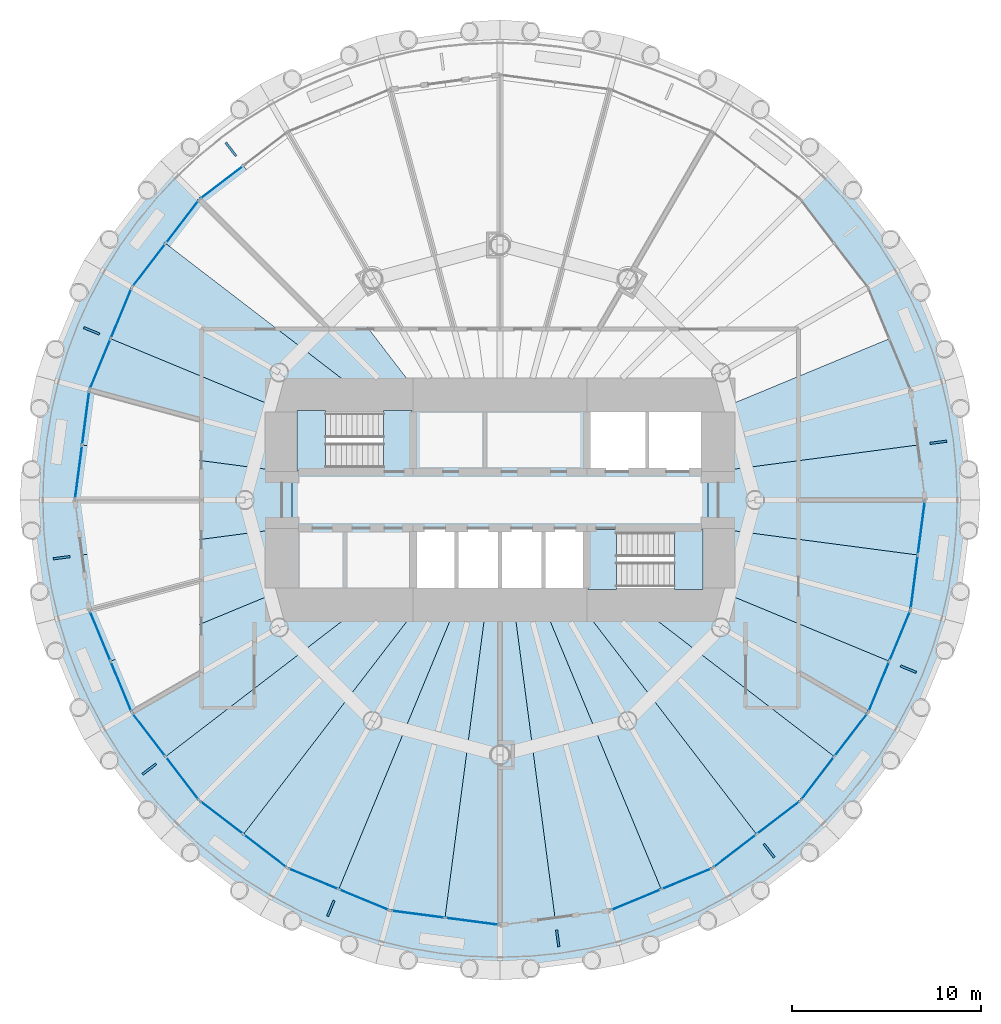
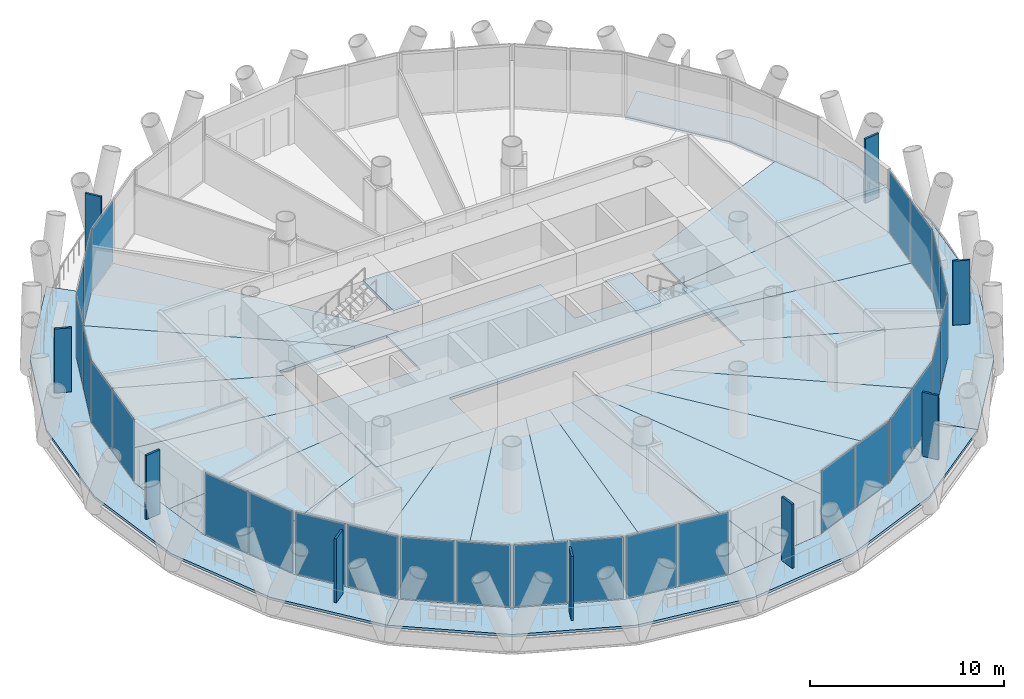
# One storey, part 7 of 15: 36 plates, 25 slabs, 16 elements without a shape of their own.
"""IFC4 building model written with IfcOpenShell, lengths in metres."""

import ifcopenshell
import ifcopenshell.guid

model = None  # the IFC model being written
_history = None  # IfcOwnerHistory: only IFC2X3 demands one
_inside = {}  # id of a spatial element -> (the spatial element, [elements in it])
_under = {}  # id of a project, library or spatial element -> (it, [spatial elements below it])
_declared = {}  # id of a project -> (the project, [libraries it declares])
_typed = {}  # id of a type object -> (the type object, [elements of that type])
_made_of = {}  # id of a material, layer set ... -> (it, [elements and type objects made of it])


def new_model(schema):
    """Start an empty IFC model of exactly this schema.

    Asked for "IFC4X3", IfcOpenShell would pick the latest addendum, in which some entities
    have other attributes; the version numbers below select the first issue.
    IFC2X3 requires an IfcOwnerHistory on every rooted entity: one is made here for all.
    """
    global model, _history
    if schema == "IFC4X3":
        model = ifcopenshell.file(schema_version=(4, 3, 0, 0))
    else:
        model = ifcopenshell.file(schema=schema)
    _inside.clear()
    _under.clear()
    _declared.clear()
    _typed.clear()
    _made_of.clear()
    _history = None
    if model.schema == "IFC2X3":
        org = make("IfcOrganization", Name="unknown")
        user = make(
            "IfcPersonAndOrganization",
            ThePerson=make("IfcPerson", FamilyName="unknown"),
            TheOrganization=org,
        )
        app = make(
            "IfcApplication",
            ApplicationDeveloper=org,
            Version="unknown",
            ApplicationFullName="unknown",
            ApplicationIdentifier="unknown",
        )
        _history = make(
            "IfcOwnerHistory",
            OwningUser=user,
            OwningApplication=app,
            ChangeAction="ADDED",
            CreationDate=0,
        )
    return model


def make(cls, **values):
    """One entity of the class cls with the attributes given. An attribute that is None is left unset."""
    return model.create_entity(
        cls, **{name: value for name, value in values.items() if value is not None}
    )


def rooted(cls, **values):
    """An entity with a GlobalId (a new one), such as an element, a storey or a relation."""
    return make(cls, GlobalId=ifcopenshell.guid.new(), OwnerHistory=_history, **values)


def si_unit(unit_type, name, prefix=None):
    """IfcSIUnit, for example si_unit("LENGTHUNIT", "METRE", prefix="MILLI")."""
    return make("IfcSIUnit", UnitType=unit_type, Prefix=prefix, Name=name)


def assignment(units):
    """IfcUnitAssignment: the units of a project."""
    return None if units is None else make("IfcUnitAssignment", Units=units)


def point(xyz):
    """IfcCartesianPoint."""
    return None if xyz is None else make("IfcCartesianPoint", Coordinates=xyz)


def direction(xyz):
    """IfcDirection."""
    return None if xyz is None else make("IfcDirection", DirectionRatios=xyz)


def frame(location, z_axis=None, x_axis=None):
    """IfcAxis2Placement3D, a coordinate frame: its origin and axes. An axis left out is left unset."""
    return make(
        "IfcAxis2Placement3D",
        Location=point(location),
        Axis=direction(z_axis),
        RefDirection=direction(x_axis),
    )


def frame_2d(location, x_axis=None):
    """IfcAxis2Placement2D, a coordinate frame in the plane: its origin and x axis."""
    return make(
        "IfcAxis2Placement2D", Location=point(location), RefDirection=direction(x_axis)
    )


def origin():
    """The frame at (0, 0, 0) with its axes left unset."""
    return frame((0.0, 0.0, 0.0))


def origin_2d():
    """The frame at (0, 0) in the plane with its x axis left unset."""
    return frame_2d((0.0, 0.0))


def place(relative_to, where):
    """IfcLocalPlacement: puts the frame where relative to a parent placement (None: the world)."""
    return make(
        "IfcLocalPlacement", PlacementRelTo=relative_to, RelativePlacement=where
    )


def context(
    kind, dimensions, precision=None, world=None, true_north=None, identifier=None
):
    """IfcGeometricRepresentationContext, for example the 3D "Model" context."""
    return make(
        "IfcGeometricRepresentationContext",
        ContextIdentifier=identifier,
        ContextType=kind,
        CoordinateSpaceDimension=dimensions,
        Precision=precision,
        WorldCoordinateSystem=world,
        TrueNorth=true_north,
    )


def subcontext(parent, identifier, kind, view, scale=None):
    """IfcGeometricRepresentationSubContext, for example "Body" below "Model"."""
    return make(
        "IfcGeometricRepresentationSubContext",
        ContextIdentifier=identifier,
        ContextType=kind,
        ParentContext=parent,
        TargetScale=scale,
        TargetView=view,
    )


def project(units=None, contexts=None):
    """IfcProject with its units and contexts."""
    return rooted(
        "IfcProject",
        Name="project",
        RepresentationContexts=contexts,
        UnitsInContext=assignment(units),
    )


def spatial(cls, under=None, at=None, **own):
    """A site, building, storey or space (cls), placed at a placement, below another one or the project."""
    s = rooted(cls, ObjectPlacement=at, **own)
    if under is not None:
        _under.setdefault(under.id(), (under, []))[1].append(s)
    return s


def polyline(points):
    """IfcPolyline through the points."""
    return make("IfcPolyline", Points=[point(p) for p in points])


def profile(cls, at=None, kind="AREA", **sizes):
    """A parametric profile (cls). Its sizes go by their IFC names, for example OverallWidth=200.0."""
    return make(cls, ProfileType=kind, Position=at, **sizes)


def rectangle(**sizes):
    """IfcRectangleProfileDef."""
    return profile("IfcRectangleProfileDef", **sizes)


def outline(outer, holes=None, kind="AREA"):
    """IfcArbitraryClosedProfileDef: a profile drawn as a closed curve; with holes, ...WithVoids."""
    if holes is None:
        return make("IfcArbitraryClosedProfileDef", ProfileType=kind, OuterCurve=outer)
    return make(
        "IfcArbitraryProfileDefWithVoids",
        ProfileType=kind,
        OuterCurve=outer,
        InnerCurves=holes,
    )


def extrude(swept, where, along, depth):
    """IfcExtrudedAreaSolid: the profile swept, set in the frame where, extruded along a direction by depth."""
    return make(
        "IfcExtrudedAreaSolid",
        SweptArea=swept,
        Position=where,
        ExtrudedDirection=direction(along),
        Depth=depth,
    )


def shape(context_of_items, identifier, shape_type, items):
    """IfcShapeRepresentation: the items that make up one representation, for example the "Body"."""
    return make(
        "IfcShapeRepresentation",
        ContextOfItems=context_of_items,
        RepresentationIdentifier=identifier,
        RepresentationType=shape_type,
        Items=items,
    )


def material(Name=None, Category=None):
    """IfcMaterial."""
    return make("IfcMaterial", Name=Name, Category=Category)


def layer(
    of_material, thickness, ventilated=None, Name=None, Category=None, Priority=None
):
    """IfcMaterialLayer: one layer of a wall or slab, of a material (None: an air gap)."""
    return make(
        "IfcMaterialLayer",
        Material=of_material,
        LayerThickness=thickness,
        IsVentilated=ventilated,
        Name=Name,
        Category=Category,
        Priority=Priority,
    )


def layer_set(layers, Name=None):
    """IfcMaterialLayerSet."""
    return make("IfcMaterialLayerSet", MaterialLayers=layers, LayerSetName=Name)


def made_of(thing, what):
    """Note that an element or type object is made of a material, layer set ...; save() writes the relation."""
    if what is not None:
        _made_of.setdefault(what.id(), (what, []))[1].append(thing)
    return thing


def type_object(cls, material=None, **own):
    """A type object (cls), such as IfcWallType, which elements share."""
    return made_of(rooted(cls, **own), material)


def element(
    cls,
    number,
    at=None,
    inside=None,
    cuts=None,
    type_object=None,
    material=None,
    context=None,
    identifier="Body",
    shape_type=None,
    held_by="IfcProductDefinitionShape",
    body=None,
    shapes=None,
    **own,
):
    """One element of the class cls, such as IfcWall. Its Tag is "e" and its number.

    at: its placement. inside: the storey or other place that contains it. cuts: it is an
    opening in that element (IfcRelVoidsElement). A single representation is given by context,
    identifier, shape_type and body (its items); several are given by shapes. held_by: the class
    of the entity that holds the representations. save() writes the other relations.
    """
    e = rooted(cls, Tag="e%d" % number, ObjectPlacement=at, **own)
    if body is not None:
        shapes = [shape(context, identifier, shape_type, body)]
    if shapes is not None:
        e.Representation = make(held_by, Representations=shapes)
    if inside is not None:
        _inside.setdefault(inside.id(), (inside, []))[1].append(e)
    if cuts is not None:
        rooted(
            "IfcRelVoidsElement", RelatingBuildingElement=cuts, RelatedOpeningElement=e
        )
    if type_object is not None:
        _typed.setdefault(type_object.id(), (type_object, []))[1].append(e)
    return made_of(e, material)


def aggregate(whole, parts):
    """IfcRelAggregates: a whole, such as a stair, and the parts it consists of."""
    return rooted("IfcRelAggregates", RelatingObject=whole, RelatedObjects=parts)


def save(model, path):
    """Write the relations noted so far, then the file.

    IfcRelAggregates (storeys below a building ...), IfcRelContainedInSpatialStructure (elements
    in a storey), IfcRelDefinesByType, IfcRelAssociatesMaterial and IfcRelDeclares: one each for
    every whole, place, type object, material and project.
    """
    for whole, parts in _under.values():
        aggregate(whole, parts)
    for where, things in _inside.values():
        rooted(
            "IfcRelContainedInSpatialStructure",
            RelatedElements=things,
            RelatingStructure=where,
        )
    for kind, things in _typed.values():
        rooted("IfcRelDefinesByType", RelatedObjects=things, RelatingType=kind)
    for what, things in _made_of.values():
        rooted("IfcRelAssociatesMaterial", RelatedObjects=things, RelatingMaterial=what)
    for by, libraries in _declared.values():
        rooted("IfcRelDeclares", RelatingContext=by, RelatedDefinitions=libraries)
    model.write(path)


model = new_model("IFC4")

# Units and contexts
model_context = context("Model", 3, precision=1e-05, world=origin(), true_north=direction((0.0, 1.0)))
body_context = subcontext(model_context, "Body", "Model", "MODEL_VIEW")
ifc_project = project(units=[si_unit("LENGTHUNIT", "METRE"), si_unit("AREAUNIT", "SQUARE_METRE"), si_unit("VOLUMEUNIT", "CUBIC_METRE"), si_unit("PLANEANGLEUNIT", "RADIAN"), si_unit("MASSUNIT", "GRAM", prefix="KILO")], contexts=[model_context])

# Site, building, storey
site_placement = place(None, origin())
site = spatial("IfcSite", under=ifc_project, at=site_placement, CompositionType="ELEMENT")
building_placement = place(site_placement, origin())
building = spatial("IfcBuilding", under=site, at=building_placement, Name="Qaws Media Tower", CompositionType="ELEMENT")
storey_placement = place(building_placement, frame((0.0, 0.0, 143.60009765625)))
storey = spatial("IfcBuildingStorey", under=building, at=storey_placement, Name="L32", CompositionType="ELEMENT", Elevation=143.60009765625)

# Slabs
ifc_material_1 = material(Name="Concrete C35/45", Category="concrete")
ifc_layer_1 = layer(ifc_material_1, 0.159912109375)
ifc_layer_set_1 = layer_set([ifc_layer_1], Name="Composite balcony slab 160")
slab_type_1 = type_object("IfcSlabType", Name="Composite balcony slab 160", PredefinedType="FLOOR", material=ifc_layer_set_1)
slab_1_placement = place(storey_placement, frame((0.0, 0.0, -0.16015625)))
element("IfcSlab", 1, at=slab_1_placement, inside=storey, type_object=slab_type_1, Name="S2 balcony slab L32 R10 to R16, movement joints on R10 and R16", PredefinedType="FLOOR", context=body_context, shape_type="SweptSolid", body=[
    extrude(outline(polyline([(38.43603515625, 37.550048828125), (35.948486328125, 43.555419921875), (35.10009765625, 50.0), (35.948486328125, 56.444580078125), (38.43603515625, 62.449951171875), (42.39306640625, 67.60693359375), (44.090087890625, 65.909912109375), (40.514404296875, 61.25), (38.2666015625, 55.823486328125), (37.5, 50.0), (38.2666015625, 44.176513671875), (40.514404296875, 38.75), (44.090087890625, 34.090087890625), (42.39306640625, 32.39306640625), (38.43603515625, 37.550048828125)])), origin(), (0.0, 0.0, 1.0), 0.16015625),
])
slab_2_placement = place(storey_placement, frame((0.0, 0.0, -0.16015625)))
element("IfcSlab", 2, at=slab_2_placement, inside=storey, type_object=slab_type_1, Name="S2 balcony slab L32 R16 to R22, movement joints on R16 and R22", PredefinedType="FLOOR", context=body_context, shape_type="SweptSolid", body=[
    extrude(outline(polyline([(72.449951171875, 28.43603515625), (66.444580078125, 25.948486328125), (60.0, 25.10009765625), (53.555419921875, 25.948486328125), (47.550048828125, 28.43603515625), (42.39306640625, 32.39306640625), (44.090087890625, 34.090087890625), (48.75, 30.514404296875), (54.176513671875, 28.2666015625), (60.0, 27.5), (65.823486328125, 28.2666015625), (71.25, 30.514404296875), (75.909912109375, 34.090087890625), (77.60693359375, 32.39306640625), (72.449951171875, 28.43603515625)])), origin(), (0.0, 0.0, 1.0), 0.16015625),
])
slab_3_placement = place(storey_placement, frame((0.0, 0.0, -0.16015625)))
element("IfcSlab", 3, at=slab_3_placement, inside=storey, type_object=slab_type_1, Name="S2 balcony slab L32 R22 to R04, movement joints on R22 and R04", PredefinedType="FLOOR", context=body_context, shape_type="SweptSolid", body=[
    extrude(outline(polyline([(81.56396484375, 37.550048828125), (77.60693359375, 32.39306640625), (75.909912109375, 34.090087890625), (79.485595703125, 38.75), (81.7333984375, 44.176513671875), (82.5, 50.0), (81.7333984375, 55.823486328125), (79.485595703125, 61.25), (75.909912109375, 65.909912109375), (77.60693359375, 67.60693359375), (81.56396484375, 62.449951171875), (84.051513671875, 56.444580078125), (84.89990234375, 50.0), (84.051513671875, 43.555419921875), (81.56396484375, 37.550048828125)])), origin(), (0.0, 0.0, 1.0), 0.16015625),
])
ifc_material_2 = material(Name="Concrete C35/45", Category="concrete")
ifc_layer_2 = layer(ifc_material_2, 0.159912109375)
ifc_layer_set_2 = layer_set([ifc_layer_2], Name="Composite floor slab 160")
slab_type_2 = type_object("IfcSlabType", Name="Composite floor slab 160", PredefinedType="FLOOR", material=ifc_layer_set_2)
slab_4_placement = place(storey_placement, frame((0.0, 0.0, -0.16015625)))
element("IfcSlab", 4, at=slab_4_placement, inside=storey, type_object=slab_type_2, Name="S1 core floor slab L32", PredefinedType="FLOOR", context=body_context, shape_type="SweptSolid", body=[
    extrude(outline(polyline([(71.0, 51.5), (71.0, 48.5), (55.39990234375, 48.5), (55.39990234375, 45.0), (49.0, 45.0), (49.0, 51.5), (55.39990234375, 51.5), (55.39990234375, 55.0), (64.60009765625, 55.0), (64.60009765625, 51.5), (71.0, 51.5)])), origin(), (0.0, 0.0, 1.0), 0.16015625),
])
slab_5_placement = place(storey_placement, frame((0.0, 0.0, -0.16015625)))
element("IfcSlab", 5, at=slab_5_placement, inside=storey, type_object=slab_type_2, Name="S1 floor panel L32 on R01", PredefinedType="FLOOR", context=body_context, shape_type="SweptSolid", body=[
    extrude(outline(polyline([(82.5, 50.0), (82.11669921875, 47.08837890625), (71.0, 48.5517578125), (71.0, 51.4482421875), (82.11669921875, 52.91162109375), (82.5, 50.0)])), origin(), (0.0, 0.0, 1.0), 0.16015625),
])
slab_6_placement = place(storey_placement, frame((0.0, 0.0, -0.16015625)))
element("IfcSlab", 6, at=slab_6_placement, inside=storey, type_object=slab_type_2, Name="S1 floor panel L32 on R02", PredefinedType="FLOOR", context=body_context, shape_type="SweptSolid", body=[
    extrude(outline(polyline([(81.7333984375, 55.823486328125), (82.11669921875, 52.91162109375), (71.0, 51.4482421875), (71.0, 54.556396484375), (80.609619140625, 58.53662109375), (81.7333984375, 55.823486328125)])), origin(), (0.0, 0.0, 1.0), 0.16015625),
])
slab_7_placement = place(storey_placement, frame((0.0, 0.0, -0.16015625)))
element("IfcSlab", 7, at=slab_7_placement, inside=storey, type_object=slab_type_2, Name="S1 floor panel L32 on R10", PredefinedType="FLOOR", context=body_context, shape_type="SweptSolid", body=[
    extrude(outline(polyline([(44.090087890625, 65.909912109375), (46.419921875, 67.69775390625), (56.163330078125, 55.0), (53.48388671875, 55.0), (42.30224609375, 63.580078125), (44.090087890625, 65.909912109375)])), origin(), (0.0, 0.0, 1.0), 0.16015625),
])
slab_8_placement = place(storey_placement, frame((0.0, 0.0, -0.16015625)))
element("IfcSlab", 8, at=slab_8_placement, inside=storey, type_object=slab_type_2, Name="S1 floor panel L32 on R11", PredefinedType="FLOOR", context=body_context, shape_type="SweptSolid", body=[
    extrude(outline(polyline([(40.514404296875, 61.25), (42.30224609375, 63.580078125), (53.48388671875, 55.0), (49.0, 55.0), (49.0, 54.556396484375), (39.390380859375, 58.53662109375), (40.514404296875, 61.25)])), origin(), (0.0, 0.0, 1.0), 0.16015625),
])
slab_9_placement = place(storey_placement, frame((0.0, 0.0, -0.16015625)))
element("IfcSlab", 9, at=slab_9_placement, inside=storey, type_object=slab_type_2, Name="S1 floor panel L32 on R12", PredefinedType="FLOOR", context=body_context, shape_type="SweptSolid", body=[
    extrude(outline(polyline([(38.2666015625, 55.823486328125), (39.390380859375, 58.53662109375), (49.0, 54.556396484375), (49.0, 51.4482421875), (37.88330078125, 52.91162109375), (38.2666015625, 55.823486328125)])), origin(), (0.0, 0.0, 1.0), 0.16015625),
])
slab_10_placement = place(storey_placement, frame((0.0, 0.0, -0.16015625)))
element("IfcSlab", 10, at=slab_10_placement, inside=storey, type_object=slab_type_2, Name="S1 floor panel L32 on R13", PredefinedType="FLOOR", context=body_context, shape_type="SweptSolid", body=[
    extrude(outline(polyline([(37.5, 50.0), (37.88330078125, 52.91162109375), (49.0, 51.4482421875), (49.0, 48.5517578125), (37.88330078125, 47.08837890625), (37.5, 50.0)])), origin(), (0.0, 0.0, 1.0), 0.16015625),
])
slab_11_placement = place(storey_placement, frame((0.0, 0.0, -0.16015625)))
element("IfcSlab", 11, at=slab_11_placement, inside=storey, type_object=slab_type_2, Name="S1 floor panel L32 on R14", PredefinedType="FLOOR", context=body_context, shape_type="SweptSolid", body=[
    extrude(outline(polyline([(38.2666015625, 44.176513671875), (37.88330078125, 47.08837890625), (49.0, 48.5517578125), (49.0, 45.443603515625), (39.390380859375, 41.46337890625), (38.2666015625, 44.176513671875)])), origin(), (0.0, 0.0, 1.0), 0.16015625),
])
slab_12_placement = place(storey_placement, frame((0.0, 0.0, -0.16015625)))
element("IfcSlab", 12, at=slab_12_placement, inside=storey, type_object=slab_type_2, Name="S1 floor panel L32 on R15", PredefinedType="FLOOR", context=body_context, shape_type="SweptSolid", body=[
    extrude(outline(polyline([(40.514404296875, 38.75), (39.390380859375, 41.46337890625), (49.0, 45.443603515625), (49.0, 45.0), (53.48388671875, 45.0), (42.30224609375, 36.419921875), (40.514404296875, 38.75)])), origin(), (0.0, 0.0, 1.0), 0.16015625),
])
slab_13_placement = place(storey_placement, frame((0.0, 0.0, -0.16015625)))
element("IfcSlab", 13, at=slab_13_placement, inside=storey, type_object=slab_type_2, Name="S1 floor panel L32 on R16", PredefinedType="FLOOR", context=body_context, shape_type="SweptSolid", body=[
    extrude(outline(polyline([(44.090087890625, 34.090087890625), (42.30224609375, 36.419921875), (53.48388671875, 45.0), (56.163330078125, 45.0), (46.419921875, 32.30224609375), (44.090087890625, 34.090087890625)])), origin(), (0.0, 0.0, 1.0), 0.16015625),
])
slab_14_placement = place(storey_placement, frame((0.0, 0.0, -0.16015625)))
element("IfcSlab", 14, at=slab_14_placement, inside=storey, type_object=slab_type_2, Name="S1 floor panel L32 on R17", PredefinedType="FLOOR", context=body_context, shape_type="SweptSolid", body=[
    extrude(outline(polyline([(48.75, 30.514404296875), (46.419921875, 32.30224609375), (56.163330078125, 45.0), (57.928955078125, 45.0), (51.46337890625, 29.390380859375), (48.75, 30.514404296875)])), origin(), (0.0, 0.0, 1.0), 0.16015625),
])
slab_15_placement = place(storey_placement, frame((0.0, 0.0, -0.16015625)))
element("IfcSlab", 15, at=slab_15_placement, inside=storey, type_object=slab_type_2, Name="S1 floor panel L32 on R18", PredefinedType="FLOOR", context=body_context, shape_type="SweptSolid", body=[
    extrude(outline(polyline([(54.176513671875, 28.2666015625), (51.46337890625, 29.390380859375), (57.928955078125, 45.0), (59.341796875, 45.0), (57.08837890625, 27.88330078125), (54.176513671875, 28.2666015625)])), origin(), (0.0, 0.0, 1.0), 0.16015625),
])
slab_16_placement = place(storey_placement, frame((0.0, 0.0, -0.16015625)))
element("IfcSlab", 16, at=slab_16_placement, inside=storey, type_object=slab_type_2, Name="S1 floor panel L32 on R19", PredefinedType="FLOOR", context=body_context, shape_type="SweptSolid", body=[
    extrude(outline(polyline([(60.0, 27.5), (57.08837890625, 27.88330078125), (59.341796875, 45.0), (60.658203125, 45.0), (62.91162109375, 27.88330078125), (60.0, 27.5)])), origin(), (0.0, 0.0, 1.0), 0.16015625),
])
slab_17_placement = place(storey_placement, frame((0.0, 0.0, -0.16015625)))
element("IfcSlab", 17, at=slab_17_placement, inside=storey, type_object=slab_type_2, Name="S1 floor panel L32 on R20", PredefinedType="FLOOR", context=body_context, shape_type="SweptSolid", body=[
    extrude(outline(polyline([(65.823486328125, 28.2666015625), (62.91162109375, 27.88330078125), (60.658203125, 45.0), (62.071044921875, 45.0), (68.53662109375, 29.390380859375), (65.823486328125, 28.2666015625)])), origin(), (0.0, 0.0, 1.0), 0.16015625),
])
slab_18_placement = place(storey_placement, frame((0.0, 0.0, -0.16015625)))
element("IfcSlab", 18, at=slab_18_placement, inside=storey, type_object=slab_type_2, Name="S1 floor panel L32 on R21", PredefinedType="FLOOR", context=body_context, shape_type="SweptSolid", body=[
    extrude(outline(polyline([(71.25, 30.514404296875), (68.53662109375, 29.390380859375), (62.071044921875, 45.0), (63.836669921875, 45.0), (73.580078125, 32.30224609375), (71.25, 30.514404296875)])), origin(), (0.0, 0.0, 1.0), 0.16015625),
])
slab_19_placement = place(storey_placement, frame((0.0, 0.0, -0.16015625)))
element("IfcSlab", 19, at=slab_19_placement, inside=storey, type_object=slab_type_2, Name="S1 floor panel L32 on R22", PredefinedType="FLOOR", context=body_context, shape_type="SweptSolid", body=[
    extrude(outline(polyline([(75.909912109375, 34.090087890625), (73.580078125, 32.30224609375), (63.836669921875, 45.0), (66.51611328125, 45.0), (77.69775390625, 36.419921875), (75.909912109375, 34.090087890625)])), origin(), (0.0, 0.0, 1.0), 0.16015625),
])
slab_20_placement = place(storey_placement, frame((0.0, 0.0, -0.16015625)))
element("IfcSlab", 20, at=slab_20_placement, inside=storey, type_object=slab_type_2, Name="S1 floor panel L32 on R23", PredefinedType="FLOOR", context=body_context, shape_type="SweptSolid", body=[
    extrude(outline(polyline([(79.485595703125, 38.75), (77.69775390625, 36.419921875), (66.51611328125, 45.0), (71.0, 45.0), (71.0, 45.443603515625), (80.609619140625, 41.46337890625), (79.485595703125, 38.75)])), origin(), (0.0, 0.0, 1.0), 0.16015625),
])
slab_21_placement = place(storey_placement, frame((0.0, 0.0, -0.16015625)))
element("IfcSlab", 21, at=slab_21_placement, inside=storey, type_object=slab_type_2, Name="S1 floor panel L32 on R24", PredefinedType="FLOOR", context=body_context, shape_type="SweptSolid", body=[
    extrude(outline(polyline([(80.609619140625, 41.46337890625), (71.0, 45.443603515625), (71.0, 48.5517578125), (82.11669921875, 47.08837890625), (81.7333984375, 44.176513671875), (80.609619140625, 41.46337890625)])), origin(), (0.0, 0.0, 1.0), 0.16015625),
])

# Curtain wall, plate
ifc_material_3 = material(Name="Aluminium and clear glass", Category="aluminium")
curtain_wall_type = type_object("IfcCurtainWallType", Name="Unitised curtain wall CW-B", PredefinedType="NOTDEFINED", material=ifc_material_3)
curtain_wall_1_placement = place(storey_placement, origin())
curtain_wall_1 = element("IfcCurtainWall", 22, at=curtain_wall_1_placement, inside=storey, type_object=curtain_wall_type, Name="CWB curtain wall L32-09", PredefinedType="NOTDEFINED")
ifc_material_4 = material(Name="Clear laminated double glazing", Category="glass")
ifc_layer_3 = layer(ifc_material_4, 0.031982421875)
ifc_layer_set_3 = layer_set([ifc_layer_3], Name="Curtain wall glass unit 32")
plate_type_1 = type_object("IfcPlateType", Name="Curtain wall glass unit 32", PredefinedType="CURTAIN_PANEL", material=ifc_layer_set_3)
plate_1_placement = place(storey_placement, frame((45.27099609375, 66.81591796875, 0.080078125), z_axis=(0.0, 0.0, 1.0), x_axis=(-0.793353367693, -0.608761393298, 0.0)))
plate_1 = element("IfcPlate", 23, at=plate_1_placement, type_object=plate_type_1, Name="CWB panel 2.1", PredefinedType="CURTAIN_PANEL", context=body_context, shape_type="SweptSolid", body=[
    extrude(rectangle(XDim=2.81689453125, YDim=0.031982421875, at=origin_2d()), origin(), (0.0, 0.0, 1.0), 3.8798828125),
])
aggregate(curtain_wall_1, [plate_1])

# Curtain wall, plates
curtain_wall_2_placement = place(storey_placement, origin())
curtain_wall_2 = element("IfcCurtainWall", 24, at=curtain_wall_2_placement, inside=storey, type_object=curtain_wall_type, Name="CWB curtain wall L32-10", PredefinedType="NOTDEFINED")
plate_2_placement = place(storey_placement, frame((43.18408203125, 64.72900390625, 0.080078125), z_axis=(0.0, 0.0, 1.0), x_axis=(-0.608761393298, -0.793353367693, 0.0)))
plate_2 = element("IfcPlate", 25, at=plate_2_placement, type_object=plate_type_1, Name="CWB panel 1.1", PredefinedType="CURTAIN_PANEL", context=body_context, shape_type="SweptSolid", body=[
    extrude(rectangle(XDim=2.81689453125, YDim=0.031982421875, at=origin_2d()), origin(), (0.0, 0.0, 1.0), 3.8798828125),
])
plate_3_placement = place(storey_placement, frame((41.42041015625, 62.430908203125, 0.080078125), z_axis=(0.0, 0.0, 1.0), x_axis=(-0.608761393298, -0.793353367693, 0.0)))
plate_3 = element("IfcPlate", 26, at=plate_3_placement, type_object=plate_type_1, Name="CWB panel 2.1", PredefinedType="CURTAIN_PANEL", context=body_context, shape_type="SweptSolid", body=[
    extrude(rectangle(XDim=2.81689453125, YDim=0.031982421875, at=origin_2d()), origin(), (0.0, 0.0, 1.0), 3.8798828125),
])
aggregate(curtain_wall_2, [plate_2, plate_3])

curtain_wall_3_placement = place(storey_placement, origin())
curtain_wall_3 = element("IfcCurtainWall", 27, at=curtain_wall_3_placement, inside=storey, type_object=curtain_wall_type, Name="CWB curtain wall L32-11", PredefinedType="NOTDEFINED")
plate_4_placement = place(storey_placement, frame((39.94482421875, 59.875, 0.080078125), z_axis=(0.0, 0.0, 1.0), x_axis=(-0.38268338799, -0.923879550892, 0.0)))
plate_4 = element("IfcPlate", 28, at=plate_4_placement, type_object=plate_type_1, Name="CWB panel 1.1", PredefinedType="CURTAIN_PANEL", context=body_context, shape_type="SweptSolid", body=[
    extrude(rectangle(XDim=2.81689453125, YDim=0.031982421875, at=origin_2d()), origin(), (0.0, 0.0, 1.0), 3.8798828125),
])
plate_5_placement = place(storey_placement, frame((38.836181640625, 57.198486328125, 0.080078125), z_axis=(0.0, 0.0, 1.0), x_axis=(-0.38268338799, -0.923879550892, 0.0)))
plate_5 = element("IfcPlate", 29, at=plate_5_placement, type_object=plate_type_1, Name="CWB panel 2.1", PredefinedType="CURTAIN_PANEL", context=body_context, shape_type="SweptSolid", body=[
    extrude(rectangle(XDim=2.81689453125, YDim=0.031982421875, at=origin_2d()), origin(), (0.0, 0.0, 1.0), 3.8798828125),
])
aggregate(curtain_wall_3, [plate_4, plate_5])

curtain_wall_4_placement = place(storey_placement, origin())
curtain_wall_4 = element("IfcCurtainWall", 30, at=curtain_wall_4_placement, inside=storey, type_object=curtain_wall_type, Name="CWB curtain wall L32-12", PredefinedType="NOTDEFINED")
plate_6_placement = place(storey_placement, frame((38.072509765625, 54.34765625, 0.080078125), z_axis=(0.0, 0.0, 1.0), x_axis=(-0.13052619684, -0.991444860766, 0.0)))
plate_6 = element("IfcPlate", 31, at=plate_6_placement, type_object=plate_type_1, Name="CWB panel 1.1", PredefinedType="CURTAIN_PANEL", context=body_context, shape_type="SweptSolid", body=[
    extrude(rectangle(XDim=2.81689453125, YDim=0.031982421875, at=origin_2d()), origin(), (0.0, 0.0, 1.0), 3.8798828125),
])
plate_7_placement = place(storey_placement, frame((37.6943359375, 51.4755859375, 0.080078125), z_axis=(0.0, 0.0, 1.0), x_axis=(-0.13052619684, -0.991444860766, 0.0)))
plate_7 = element("IfcPlate", 32, at=plate_7_placement, type_object=plate_type_1, Name="CWB panel 2.1", PredefinedType="CURTAIN_PANEL", context=body_context, shape_type="SweptSolid", body=[
    extrude(rectangle(XDim=2.81689453125, YDim=0.031982421875, at=origin_2d()), origin(), (0.0, 0.0, 1.0), 3.8798828125),
])
aggregate(curtain_wall_4, [plate_6, plate_7])

curtain_wall_5_placement = place(storey_placement, origin())
curtain_wall_5 = element("IfcCurtainWall", 33, at=curtain_wall_5_placement, inside=storey, type_object=curtain_wall_type, Name="CWB curtain wall L32-14", PredefinedType="NOTDEFINED")
plate_8_placement = place(storey_placement, frame((38.836181640625, 42.801513671875, 0.080078125), z_axis=(0.0, 0.0, 1.0), x_axis=(0.38268338799, -0.923879550892, 0.0)))
plate_8 = element("IfcPlate", 34, at=plate_8_placement, type_object=plate_type_1, Name="CWB panel 1.1", PredefinedType="CURTAIN_PANEL", context=body_context, shape_type="SweptSolid", body=[
    extrude(rectangle(XDim=2.81689453125, YDim=0.031982421875, at=origin_2d()), origin(), (0.0, 0.0, 1.0), 3.8798828125),
])
plate_9_placement = place(storey_placement, frame((39.94482421875, 40.125, 0.080078125), z_axis=(0.0, 0.0, 1.0), x_axis=(0.38268338799, -0.923879550892, 0.0)))
plate_9 = element("IfcPlate", 35, at=plate_9_placement, type_object=plate_type_1, Name="CWB panel 2.1", PredefinedType="CURTAIN_PANEL", context=body_context, shape_type="SweptSolid", body=[
    extrude(rectangle(XDim=2.81689453125, YDim=0.031982421875, at=origin_2d()), origin(), (0.0, 0.0, 1.0), 3.8798828125),
])
aggregate(curtain_wall_5, [plate_8, plate_9])

curtain_wall_6_placement = place(storey_placement, origin())
curtain_wall_6 = element("IfcCurtainWall", 36, at=curtain_wall_6_placement, inside=storey, type_object=curtain_wall_type, Name="CWB curtain wall L32-15", PredefinedType="NOTDEFINED")
plate_10_placement = place(storey_placement, frame((41.42041015625, 37.569091796875, 0.080078125), z_axis=(0.0, 0.0, 1.0), x_axis=(0.608761393298, -0.793353367693, 0.0)))
plate_10 = element("IfcPlate", 37, at=plate_10_placement, type_object=plate_type_1, Name="CWB panel 1.1", PredefinedType="CURTAIN_PANEL", context=body_context, shape_type="SweptSolid", body=[
    extrude(rectangle(XDim=2.81689453125, YDim=0.031982421875, at=origin_2d()), origin(), (0.0, 0.0, 1.0), 3.8798828125),
])
plate_11_placement = place(storey_placement, frame((43.18408203125, 35.27099609375, 0.080078125), z_axis=(0.0, 0.0, 1.0), x_axis=(0.608761393298, -0.793353367693, 0.0)))
plate_11 = element("IfcPlate", 38, at=plate_11_placement, type_object=plate_type_1, Name="CWB panel 2.1", PredefinedType="CURTAIN_PANEL", context=body_context, shape_type="SweptSolid", body=[
    extrude(rectangle(XDim=2.81689453125, YDim=0.031982421875, at=origin_2d()), origin(), (0.0, 0.0, 1.0), 3.8798828125),
])
aggregate(curtain_wall_6, [plate_10, plate_11])

curtain_wall_7_placement = place(storey_placement, origin())
curtain_wall_7 = element("IfcCurtainWall", 39, at=curtain_wall_7_placement, inside=storey, type_object=curtain_wall_type, Name="CWB curtain wall L32-16", PredefinedType="NOTDEFINED")
plate_12_placement = place(storey_placement, frame((45.27099609375, 33.18408203125, 0.080078125), z_axis=(0.0, 0.0, 1.0), x_axis=(0.793353367693, -0.608761393298, 0.0)))
plate_12 = element("IfcPlate", 40, at=plate_12_placement, type_object=plate_type_1, Name="CWB panel 1.1", PredefinedType="CURTAIN_PANEL", context=body_context, shape_type="SweptSolid", body=[
    extrude(rectangle(XDim=2.81689453125, YDim=0.031982421875, at=origin_2d()), origin(), (0.0, 0.0, 1.0), 3.8798828125),
])
plate_13_placement = place(storey_placement, frame((47.569091796875, 31.42041015625, 0.080078125), z_axis=(0.0, 0.0, 1.0), x_axis=(0.793353367693, -0.608761393298, 0.0)))
plate_13 = element("IfcPlate", 41, at=plate_13_placement, type_object=plate_type_1, Name="CWB panel 2.1", PredefinedType="CURTAIN_PANEL", context=body_context, shape_type="SweptSolid", body=[
    extrude(rectangle(XDim=2.81689453125, YDim=0.031982421875, at=origin_2d()), origin(), (0.0, 0.0, 1.0), 3.8798828125),
])
aggregate(curtain_wall_7, [plate_12, plate_13])

curtain_wall_8_placement = place(storey_placement, origin())
curtain_wall_8 = element("IfcCurtainWall", 42, at=curtain_wall_8_placement, inside=storey, type_object=curtain_wall_type, Name="CWB curtain wall L32-17", PredefinedType="NOTDEFINED")
plate_14_placement = place(storey_placement, frame((50.125, 29.94482421875, 0.080078125), z_axis=(0.0, 0.0, 1.0), x_axis=(0.923879550892, -0.38268338799, 0.0)))
plate_14 = element("IfcPlate", 43, at=plate_14_placement, type_object=plate_type_1, Name="CWB panel 1.1", PredefinedType="CURTAIN_PANEL", context=body_context, shape_type="SweptSolid", body=[
    extrude(rectangle(XDim=2.81689453125, YDim=0.031982421875, at=origin_2d()), origin(), (0.0, 0.0, 1.0), 3.8798828125),
])
plate_15_placement = place(storey_placement, frame((52.801513671875, 28.836181640625, 0.080078125), z_axis=(0.0, 0.0, 1.0), x_axis=(0.923879550892, -0.38268338799, 0.0)))
plate_15 = element("IfcPlate", 44, at=plate_15_placement, type_object=plate_type_1, Name="CWB panel 2.1", PredefinedType="CURTAIN_PANEL", context=body_context, shape_type="SweptSolid", body=[
    extrude(rectangle(XDim=2.81689453125, YDim=0.031982421875, at=origin_2d()), origin(), (0.0, 0.0, 1.0), 3.8798828125),
])
aggregate(curtain_wall_8, [plate_14, plate_15])

curtain_wall_9_placement = place(storey_placement, origin())
curtain_wall_9 = element("IfcCurtainWall", 45, at=curtain_wall_9_placement, inside=storey, type_object=curtain_wall_type, Name="CWB curtain wall L32-18", PredefinedType="NOTDEFINED")
plate_16_placement = place(storey_placement, frame((55.65234375, 28.072509765625, 0.080078125), z_axis=(0.0, 0.0, 1.0), x_axis=(0.991444860766, -0.13052619684, 0.0)))
plate_16 = element("IfcPlate", 46, at=plate_16_placement, type_object=plate_type_1, Name="CWB panel 1.1", PredefinedType="CURTAIN_PANEL", context=body_context, shape_type="SweptSolid", body=[
    extrude(rectangle(XDim=2.81689453125, YDim=0.031982421875, at=origin_2d()), origin(), (0.0, 0.0, 1.0), 3.8798828125),
])
plate_17_placement = place(storey_placement, frame((58.5244140625, 27.6943359375, 0.080078125), z_axis=(0.0, 0.0, 1.0), x_axis=(0.991444860766, -0.13052619684, 0.0)))
plate_17 = element("IfcPlate", 47, at=plate_17_placement, type_object=plate_type_1, Name="CWB panel 2.1", PredefinedType="CURTAIN_PANEL", context=body_context, shape_type="SweptSolid", body=[
    extrude(rectangle(XDim=2.81689453125, YDim=0.031982421875, at=origin_2d()), origin(), (0.0, 0.0, 1.0), 3.8798828125),
])
aggregate(curtain_wall_9, [plate_16, plate_17])

curtain_wall_10_placement = place(storey_placement, origin())
curtain_wall_10 = element("IfcCurtainWall", 48, at=curtain_wall_10_placement, inside=storey, type_object=curtain_wall_type, Name="CWB curtain wall L32-20", PredefinedType="NOTDEFINED")
plate_18_placement = place(storey_placement, frame((67.198486328125, 28.836181640625, 0.080078125), z_axis=(0.0, 0.0, 1.0), x_axis=(0.923879550892, 0.38268338799, 0.0)))
plate_18 = element("IfcPlate", 49, at=plate_18_placement, type_object=plate_type_1, Name="CWB panel 1.1", PredefinedType="CURTAIN_PANEL", context=body_context, shape_type="SweptSolid", body=[
    extrude(rectangle(XDim=2.81689453125, YDim=0.031982421875, at=origin_2d()), origin(), (0.0, 0.0, 1.0), 3.8798828125),
])
plate_19_placement = place(storey_placement, frame((69.875, 29.94482421875, 0.080078125), z_axis=(0.0, 0.0, 1.0), x_axis=(0.923879550892, 0.38268338799, 0.0)))
plate_19 = element("IfcPlate", 50, at=plate_19_placement, type_object=plate_type_1, Name="CWB panel 2.1", PredefinedType="CURTAIN_PANEL", context=body_context, shape_type="SweptSolid", body=[
    extrude(rectangle(XDim=2.81689453125, YDim=0.031982421875, at=origin_2d()), origin(), (0.0, 0.0, 1.0), 3.8798828125),
])
aggregate(curtain_wall_10, [plate_18, plate_19])

curtain_wall_11_placement = place(storey_placement, origin())
curtain_wall_11 = element("IfcCurtainWall", 51, at=curtain_wall_11_placement, inside=storey, type_object=curtain_wall_type, Name="CWB curtain wall L32-21", PredefinedType="NOTDEFINED")
plate_20_placement = place(storey_placement, frame((72.430908203125, 31.42041015625, 0.080078125), z_axis=(0.0, 0.0, 1.0), x_axis=(0.793353367693, 0.608761393298, 0.0)))
plate_20 = element("IfcPlate", 52, at=plate_20_placement, type_object=plate_type_1, Name="CWB panel 1.1", PredefinedType="CURTAIN_PANEL", context=body_context, shape_type="SweptSolid", body=[
    extrude(rectangle(XDim=2.81689453125, YDim=0.031982421875, at=origin_2d()), origin(), (0.0, 0.0, 1.0), 3.8798828125),
])
plate_21_placement = place(storey_placement, frame((74.72900390625, 33.18408203125, 0.080078125), z_axis=(0.0, 0.0, 1.0), x_axis=(0.793353367693, 0.608761393298, 0.0)))
plate_21 = element("IfcPlate", 53, at=plate_21_placement, type_object=plate_type_1, Name="CWB panel 2.1", PredefinedType="CURTAIN_PANEL", context=body_context, shape_type="SweptSolid", body=[
    extrude(rectangle(XDim=2.81689453125, YDim=0.031982421875, at=origin_2d()), origin(), (0.0, 0.0, 1.0), 3.8798828125),
])
aggregate(curtain_wall_11, [plate_20, plate_21])

curtain_wall_12_placement = place(storey_placement, origin())
curtain_wall_12 = element("IfcCurtainWall", 54, at=curtain_wall_12_placement, inside=storey, type_object=curtain_wall_type, Name="CWB curtain wall L32-22", PredefinedType="NOTDEFINED")
plate_22_placement = place(storey_placement, frame((76.81591796875, 35.27099609375, 0.080078125), z_axis=(0.0, 0.0, 1.0), x_axis=(0.608761393298, 0.793353367693, 0.0)))
plate_22 = element("IfcPlate", 55, at=plate_22_placement, type_object=plate_type_1, Name="CWB panel 1.1", PredefinedType="CURTAIN_PANEL", context=body_context, shape_type="SweptSolid", body=[
    extrude(rectangle(XDim=2.81689453125, YDim=0.031982421875, at=origin_2d()), origin(), (0.0, 0.0, 1.0), 3.8798828125),
])
plate_23_placement = place(storey_placement, frame((78.57958984375, 37.569091796875, 0.080078125), z_axis=(0.0, 0.0, 1.0), x_axis=(0.608761393298, 0.793353367693, 0.0)))
plate_23 = element("IfcPlate", 56, at=plate_23_placement, type_object=plate_type_1, Name="CWB panel 2.1", PredefinedType="CURTAIN_PANEL", context=body_context, shape_type="SweptSolid", body=[
    extrude(rectangle(XDim=2.81689453125, YDim=0.031982421875, at=origin_2d()), origin(), (0.0, 0.0, 1.0), 3.8798828125),
])
aggregate(curtain_wall_12, [plate_22, plate_23])

curtain_wall_13_placement = place(storey_placement, origin())
curtain_wall_13 = element("IfcCurtainWall", 57, at=curtain_wall_13_placement, inside=storey, type_object=curtain_wall_type, Name="CWB curtain wall L32-23", PredefinedType="NOTDEFINED")
plate_24_placement = place(storey_placement, frame((80.05517578125, 40.125, 0.080078125), z_axis=(0.0, 0.0, 1.0), x_axis=(0.38268338799, 0.923879550892, 0.0)))
plate_24 = element("IfcPlate", 58, at=plate_24_placement, type_object=plate_type_1, Name="CWB panel 1.1", PredefinedType="CURTAIN_PANEL", context=body_context, shape_type="SweptSolid", body=[
    extrude(rectangle(XDim=2.81689453125, YDim=0.031982421875, at=origin_2d()), origin(), (0.0, 0.0, 1.0), 3.8798828125),
])
plate_25_placement = place(storey_placement, frame((81.163818359375, 42.801513671875, 0.080078125), z_axis=(0.0, 0.0, 1.0), x_axis=(0.38268338799, 0.923879550892, 0.0)))
plate_25 = element("IfcPlate", 59, at=plate_25_placement, type_object=plate_type_1, Name="CWB panel 2.1", PredefinedType="CURTAIN_PANEL", context=body_context, shape_type="SweptSolid", body=[
    extrude(rectangle(XDim=2.81689453125, YDim=0.031982421875, at=origin_2d()), origin(), (0.0, 0.0, 1.0), 3.8798828125),
])
aggregate(curtain_wall_13, [plate_24, plate_25])

curtain_wall_14_placement = place(storey_placement, origin())
curtain_wall_14 = element("IfcCurtainWall", 60, at=curtain_wall_14_placement, inside=storey, type_object=curtain_wall_type, Name="CWB curtain wall L32-24", PredefinedType="NOTDEFINED")
plate_26_placement = place(storey_placement, frame((81.927490234375, 45.65234375, 0.080078125), z_axis=(0.0, 0.0, 1.0), x_axis=(0.13052619684, 0.991444860766, 0.0)))
plate_26 = element("IfcPlate", 61, at=plate_26_placement, type_object=plate_type_1, Name="CWB panel 1.1", PredefinedType="CURTAIN_PANEL", context=body_context, shape_type="SweptSolid", body=[
    extrude(rectangle(XDim=2.81689453125, YDim=0.031982421875, at=origin_2d()), origin(), (0.0, 0.0, 1.0), 3.8798828125),
])
plate_27_placement = place(storey_placement, frame((82.3056640625, 48.5244140625, 0.080078125), z_axis=(0.0, 0.0, 1.0), x_axis=(0.13052619684, 0.991444860766, 0.0)))
plate_27 = element("IfcPlate", 62, at=plate_27_placement, type_object=plate_type_1, Name="CWB panel 2.1", PredefinedType="CURTAIN_PANEL", context=body_context, shape_type="SweptSolid", body=[
    extrude(rectangle(XDim=2.81689453125, YDim=0.031982421875, at=origin_2d()), origin(), (0.0, 0.0, 1.0), 3.8798828125),
])
aggregate(curtain_wall_14, [plate_26, plate_27])

# Plates
ifc_material_5 = material(Name="Precast concrete screen fin", Category="concrete")
ifc_layer_4 = layer(ifc_material_5, 0.1201171875)
ifc_layer_set_4 = layer_set([ifc_layer_4], Name="Screen fin 120x900")
plate_type_2 = type_object("IfcPlateType", Name="Screen fin 120x900", PredefinedType="USERDEFINED", material=ifc_layer_set_4)
for number, where, z_axis, x_axis, name in (
    (63, (83.19970703125, 53.05419921875, 0.0), (0.0, 0.0, 1.0), (0.991444861374, 0.13052619222, 0.0), "SCR1 screen fin L32-01"),
    (64, (45.7548828125, 68.564453125, 0.0), (0.0, 0.0, 1.0), (-0.608761429009, 0.793353340291, 0.0), "SCR1 screen fin L32-05"),
    (65, (38.381103515625, 58.954833984375, 0.0), (0.0, 0.0, 1.0), (-0.923879532511, 0.382683432365, 0.0), "SCR1 screen fin L32-06"),
    (66, (36.80029296875, 46.94580078125, 0.0), (0.0, 0.0, 1.0), (-0.991444861374, -0.13052619222, 0.0), "SCR1 screen fin L32-07"),
    (67, (41.435546875, 35.7548828125, 0.0), (0.0, 0.0, 1.0), (-0.793353340291, -0.608761429009, 0.0), "SCR1 screen fin L32-08"),
    (68, (51.045166015625, 28.381103515625, 0.0), (0.0, 0.0, 1.0), (-0.382683432365, -0.923879532511, 0.0), "SCR1 screen fin L32-09"),
    (69, (63.05419921875, 26.80029296875, 0.0), (0.0, 0.0, 1.0), (0.13052619222, -0.991444861374, 0.0), "SCR1 screen fin L32-10"),
    (70, (74.2451171875, 31.435546875, 0.0), (0.0, 0.0, 1.0), (0.608761429009, -0.793353340291, 0.0), "SCR1 screen fin L32-11"),
    (71, (81.618896484375, 41.045166015625, 0.0), (0.0, 0.0, 1.0), (0.923879532511, -0.382683432365, 0.0), "SCR1 screen fin L32-12"),
):
    element("IfcPlate", number, at=place(storey_placement, frame(where, z_axis=z_axis, x_axis=x_axis)), inside=storey, type_object=plate_type_2, Name=name, ObjectType="SCREEN", PredefinedType="USERDEFINED", context=body_context, shape_type="SweptSolid", body=[
        extrude(rectangle(XDim=0.89990234375, YDim=0.1201171875, at=origin_2d()), origin(), (0.0, 0.0, 1.0), 4.0400390625),
    ])

# Stair, slabs
ifc_material_6 = material(Name="Concrete C40/50", Category="concrete")
stair_type = type_object("IfcStairType", Name="Exit stair", PredefinedType="HALF_TURN_STAIR", material=ifc_material_6)
stair_1_placement = place(storey_placement, origin())
stair_1 = element("IfcStair", 72, at=stair_1_placement, inside=storey, type_object=stair_type, Name="S1 exit stair L32", PredefinedType="HALF_TURN_STAIR")
ifc_material_7 = material(Name="Concrete C40/50", Category="concrete")
ifc_layer_5 = layer(ifc_material_7, 0.199951171875)
ifc_layer_set_5 = layer_set([ifc_layer_5], Name="Stair landing 200")
slab_type_3 = type_object("IfcSlabType", Name="Stair landing 200", PredefinedType="LANDING", material=ifc_layer_set_5)
slab_22_placement = place(storey_placement, frame((0.0, 0.0, 1.89990234375)))
slab_22 = element("IfcSlab", 73, at=slab_22_placement, type_object=slab_type_3, Name="S1 landing 1", PredefinedType="LANDING", context=body_context, shape_type="SweptSolid", body=[
    extrude(outline(polyline([(49.25, 51.550048828125), (50.760009765625, 51.550048828125), (50.760009765625, 54.75), (49.25, 54.75), (49.25, 51.550048828125)])), origin(), (0.0, 0.0, 1.0), 0.199951171875),
])
slab_23_placement = place(storey_placement, frame((0.0, 0.0, 4.0)))
slab_23 = element("IfcSlab", 74, at=slab_23_placement, type_object=slab_type_3, Name="S1 landing 2", PredefinedType="LANDING", context=body_context, shape_type="SweptSolid", body=[
    extrude(outline(polyline([(53.840087890625, 51.550048828125), (55.35009765625, 51.550048828125), (55.35009765625, 54.75), (53.840087890625, 54.75), (53.840087890625, 51.550048828125)])), origin(), (0.0, 0.0, 1.0), 0.199951171875),
])
aggregate(stair_1, [slab_22, slab_23])

stair_2_placement = place(storey_placement, origin())
stair_2 = element("IfcStair", 75, at=stair_2_placement, inside=storey, type_object=stair_type, Name="S2 exit stair L32", PredefinedType="HALF_TURN_STAIR")
slab_24_placement = place(storey_placement, frame((0.0, 0.0, 1.89990234375)))
slab_24 = element("IfcSlab", 76, at=slab_24_placement, type_object=slab_type_3, Name="S2 landing 1", PredefinedType="LANDING", context=body_context, shape_type="SweptSolid", body=[
    extrude(outline(polyline([(69.239990234375, 45.25), (70.75, 45.25), (70.75, 48.449951171875), (69.239990234375, 48.449951171875), (69.239990234375, 45.25)])), origin(), (0.0, 0.0, 1.0), 0.199951171875),
])
slab_25_placement = place(storey_placement, frame((0.0, 0.0, 4.0)))
slab_25 = element("IfcSlab", 77, at=slab_25_placement, type_object=slab_type_3, Name="S2 landing 2", PredefinedType="LANDING", context=body_context, shape_type="SweptSolid", body=[
    extrude(outline(polyline([(64.64990234375, 45.25), (66.159912109375, 45.25), (66.159912109375, 48.449951171875), (64.64990234375, 48.449951171875), (64.64990234375, 45.25)])), origin(), (0.0, 0.0, 1.0), 0.199951171875),
])
aggregate(stair_2, [slab_24, slab_25])

save(model, "model.ifc")
